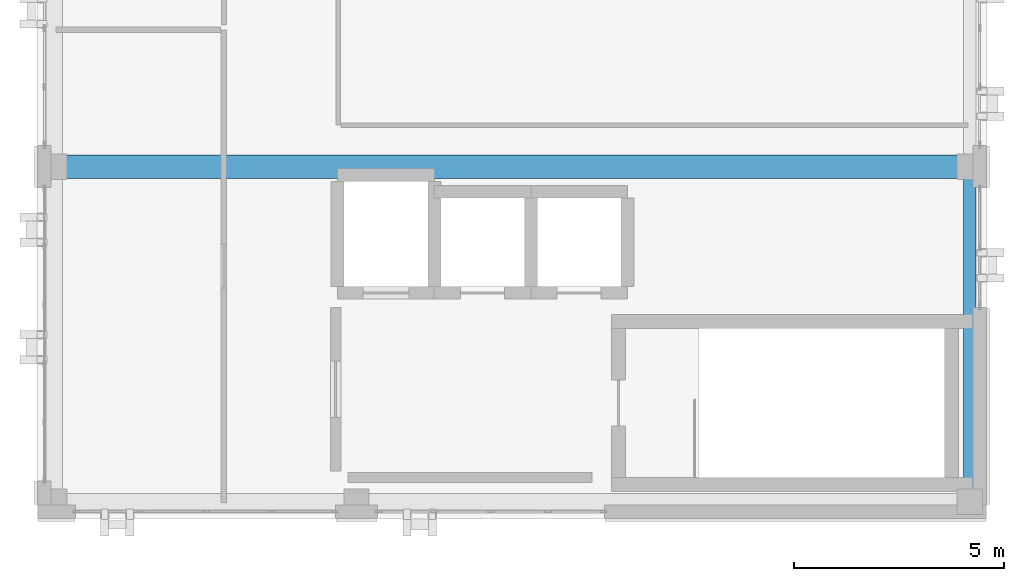
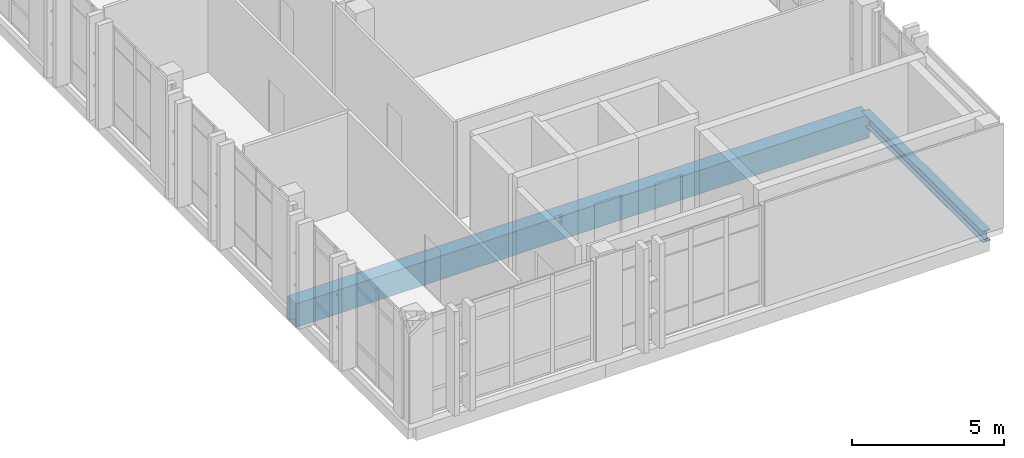
# One storey, part 6 of 19: 2 beams.
"""IFC4 building model written with IfcOpenShell, lengths in metres."""

from ifc_helpers import new_model, si_unit, direction, frame, origin, origin_2d, place, context, subcontext, project, spatial, rectangle, i_section, extrude, material, material_profile, profile_set, type_object, element, save


model = new_model("IFC4")

# Units and contexts
model_context = context("Model", 3, precision=1e-05, world=origin(), true_north=direction((0.0, 1.0)))
body_context = subcontext(model_context, "Body", "Model", "MODEL_VIEW")
ifc_project = project(units=[si_unit("LENGTHUNIT", "METRE"), si_unit("AREAUNIT", "SQUARE_METRE"), si_unit("VOLUMEUNIT", "CUBIC_METRE"), si_unit("PLANEANGLEUNIT", "RADIAN"), si_unit("MASSUNIT", "GRAM", prefix="KILO")], contexts=[model_context])

# Site, building, storey
site_placement = place(None, origin())
site = spatial("IfcSite", under=ifc_project, at=site_placement, CompositionType="ELEMENT")
building_placement = place(site_placement, origin())
building = spatial("IfcBuilding", under=site, at=building_placement, Name="Qalavern Law Courts", CompositionType="ELEMENT")
storey_placement = place(building_placement, frame((0.0, 0.0, 39.60009765625)))
storey = spatial("IfcBuildingStorey", under=building, at=storey_placement, Name="L09", CompositionType="ELEMENT", Elevation=39.60009765625)

# Beams
ifc_material_1 = material(Name="Concrete C40/50", Category="concrete")
ifc_material_profile_1 = material_profile(ifc_material_1, rectangle(XDim=0.550048828125, YDim=0.949951171875, at=origin_2d()), Name="RC 550x950")
ifc_profile_set_1 = profile_set([ifc_material_profile_1], Name="Concrete C40/50")
beam_type_1 = type_object("IfcBeamType", Name="STR-BM-RC550x950", PredefinedType="BEAM", material=ifc_profile_set_1)
beam_1_placement = place(storey_placement, frame((84.60009765625, 49.39990234375, -0.72998046875), z_axis=(1.0, 0.0, 0.0), x_axis=(0.0, 1.0, 0.0)))
element("IfcBeam", 1, at=beam_1_placement, inside=storey, type_object=beam_type_1, Name="V4 X-beam 2-1 L09", PredefinedType="BEAM", context=body_context, shape_type="SweptSolid", body=[
    extrude(rectangle(XDim=0.550048828125, YDim=0.949951171875, at=origin_2d()), origin(), (0.0, 0.0, 1.0), 21.7998046875),
])
ifc_material_2 = material(Name="Steel S355", Category="steel")
ifc_material_profile_2 = material_profile(ifc_material_2, i_section(OverallWidth=0.300048828125, OverallDepth=0.449951171875, WebThickness=0.013916015625, FlangeThickness=0.02587890625, FilletRadius=0.027099609375, at=origin_2d()), Name="HEB 450")
ifc_profile_set_2 = profile_set([ifc_material_profile_2], Name="Steel S355")
beam_type_2 = type_object("IfcBeamType", Name="STR-SP-HEB450", PredefinedType="SPANDREL", material=ifc_profile_set_2)
beam_2_placement = place(storey_placement, frame((106.39990234375, 41.419921875, -0.47998046875), z_axis=(0.0, 1.0, 0.0), x_axis=(-1.0, 0.0, 0.0)))
element("IfcBeam", 2, at=beam_2_placement, inside=storey, type_object=beam_type_2, Name="V4 Y-beam 3-1 L09", PredefinedType="SPANDREL", context=body_context, shape_type="SweptSolid", body=[
    extrude(i_section(OverallWidth=0.300048828125, OverallDepth=0.449951171875, WebThickness=0.013916015625, FlangeThickness=0.02587890625, FilletRadius=0.027099609375, at=origin_2d()), origin(), (0.0, 0.0, 1.0), 7.97998046875),
])

save(model, "model.ifc")
